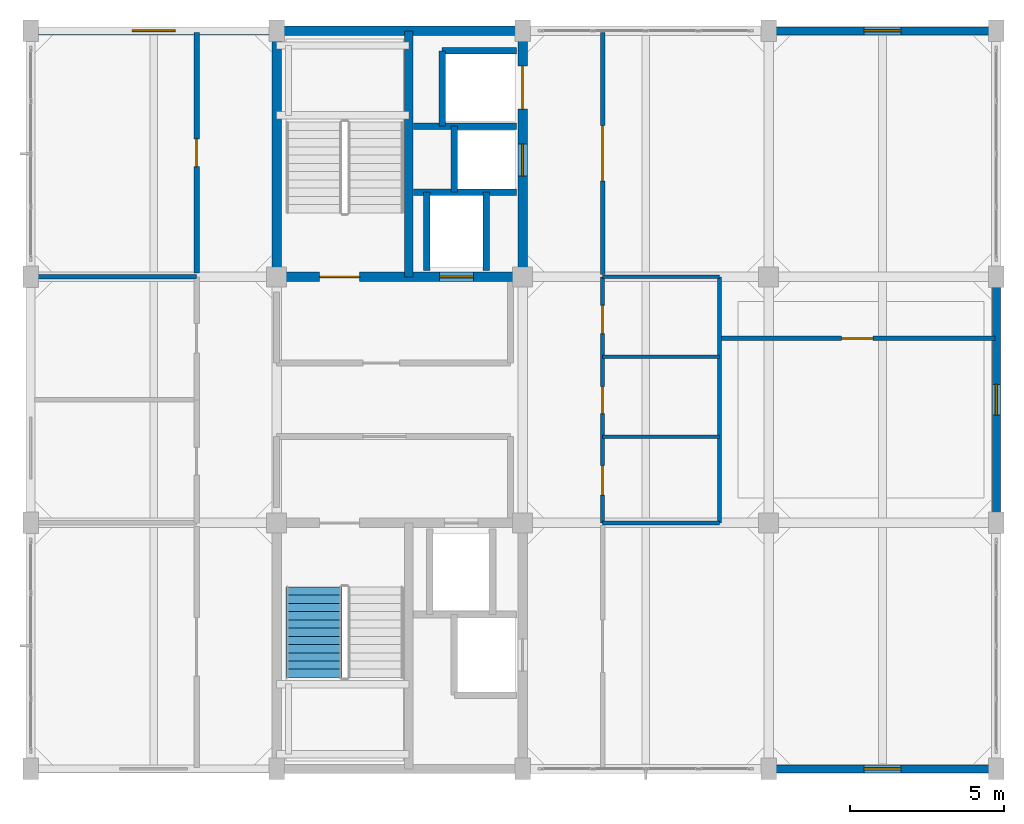
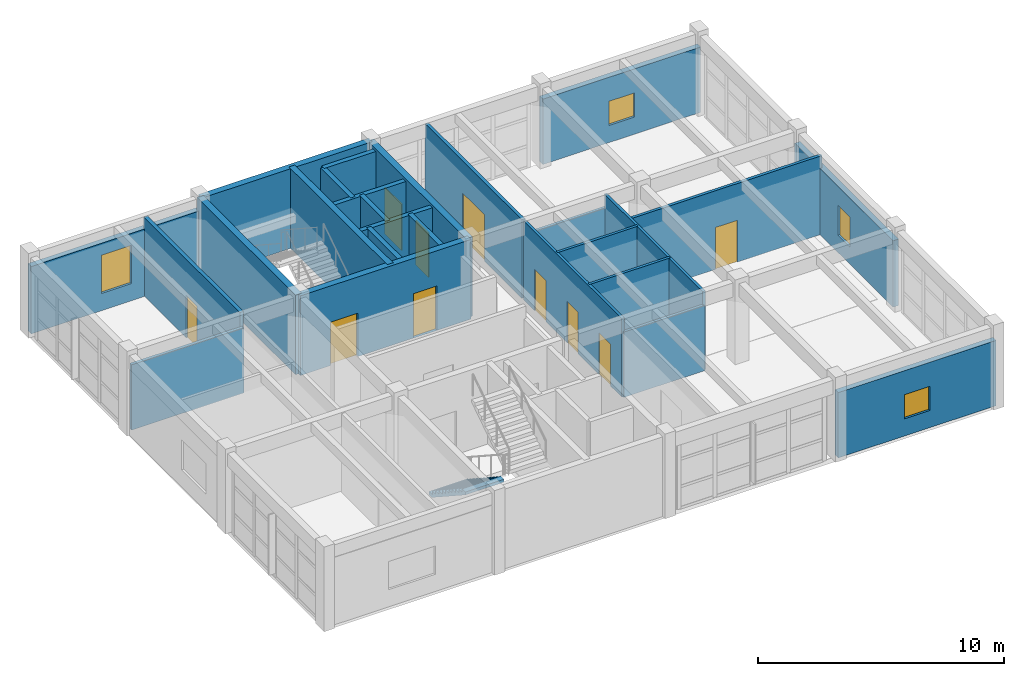
# One storey, part 13 of 16: 26 walls, 10 doors, 4 windows, 1 stair flight, 14 openings, 1 element without a shape of its own.
"""IFC4 building model written with IfcOpenShell, lengths in metres."""

from ifc_helpers import new_model, si_unit, direction, frame, frame_2d, origin, place, context, subcontext, project, spatial, polyline, rectangle, outline, extrude, material, layer, layer_set, type_object, element, fill, aggregate, save


model = new_model("IFC4")

# Units and contexts
model_context = context("Model", 3, precision=1e-05, world=origin(), true_north=direction((0.0, 1.0)))
body_context = subcontext(model_context, "Body", "Model", "MODEL_VIEW")
ifc_project = project(units=[si_unit("LENGTHUNIT", "METRE"), si_unit("AREAUNIT", "SQUARE_METRE"), si_unit("VOLUMEUNIT", "CUBIC_METRE"), si_unit("PLANEANGLEUNIT", "RADIAN"), si_unit("MASSUNIT", "GRAM", prefix="KILO")], contexts=[model_context])

# Site, building, storey
site_placement = place(None, origin())
site = spatial("IfcSite", under=ifc_project, at=site_placement, CompositionType="ELEMENT")
building_placement = place(site_placement, origin())
building = spatial("IfcBuilding", under=site, at=building_placement, Name="Canggui Botanical Conservatory", CompositionType="ELEMENT")
storey_placement = place(building_placement, frame((0.0, 0.0, 65.39990234375)))
storey = spatial("IfcBuildingStorey", under=building, at=storey_placement, Name="L16", CompositionType="ELEMENT", Elevation=65.39990234375)

# Wall, opening, window
ifc_material_1 = material(Name="Precast Concrete C40", Category="concrete")
ifc_layer_1 = layer(ifc_material_1, 0.260009765625, Name="Precast Concrete C40", Category="concrete")
ifc_layer_set_1 = layer_set([ifc_layer_1], Name="Precast Concrete C40")
wall_type_1 = type_object("IfcWallType", Name="EW-260", PredefinedType="STANDARD", material=ifc_layer_set_1)
wall_1_placement = place(storey_placement, frame((177.39990234375, 42.0, 0.0), z_axis=(0.0, 0.0, 1.0), x_axis=(-1.0, 0.0, 0.0)))
wall_1 = element("IfcWall", 1, at=wall_1_placement, inside=storey, type_object=wall_type_1, Name="Tower Insulated Exterior Wall L16-S1", PredefinedType="STANDARD", context=body_context, shape_type="SweptSolid", body=[
    extrude(rectangle(XDim=7.39990234375, YDim=0.260009765625, at=frame_2d((3.699951171875, 0.0))), origin(), (0.0, 0.0, 1.0), 3.239990234375),
])
opening_1_placement = place(wall_1_placement, frame((3.10009765625, 0.0, 0.85009765625)))
opening_1 = element("IfcOpeningElement", 2, at=opening_1_placement, cuts=wall_1, Name="Opening W-06", PredefinedType="OPENING", context=body_context, shape_type="SweptSolid", body=[
    extrude(rectangle(XDim=1.199951171875, YDim=1.199951171875, at=frame_2d((0.60009765625, 0.60009765625))), frame((0.0, 0.14013671875, 0.0), z_axis=(0.0, -1.0, 0.0), x_axis=(1.0, 0.0, 0.0)), (0.0, 0.0, 1.0), 0.280029296875),
])
ifc_material_2 = material(Name="Low-E Insulated Glass", Category="glass")
window_type_1 = type_object("IfcWindowType", Name="WIN-06", PartitioningType="SINGLE_PANEL", PredefinedType="WINDOW", material=ifc_material_2)
window_1_placement = place(opening_1_placement, origin())
window_1 = element("IfcWindow", 3, at=window_1_placement, inside=storey, type_object=window_type_1, Name="Tower Firefighter Rescue Window L16-1", OverallHeight=1.199951171875, OverallWidth=1.199951171875, PartitioningType="SINGLE_PANEL", PredefinedType="WINDOW", context=body_context, shape_type="SweptSolid", body=[
    extrude(rectangle(XDim=1.199951171875, YDim=1.199951171875, at=frame_2d((0.60009765625, 0.60009765625))), frame((0.0, 0.030029296875, 0.0), z_axis=(0.0, -1.0, 0.0), x_axis=(1.0, 0.0, 0.0)), (0.0, 0.0, 1.0), 0.06005859375),
])
fill(opening_1, window_1)

wall_2_placement = place(storey_placement, frame((146.0, 66.0, 0.0), z_axis=(0.0, 0.0, 1.0), x_axis=(1.0, 0.0, 0.0)))
wall_2 = element("IfcWall", 4, at=wall_2_placement, inside=storey, type_object=wall_type_1, Name="Tower Insulated Exterior Wall L16-N7", PredefinedType="STANDARD", context=body_context, shape_type="SweptSolid", body=[
    extrude(rectangle(XDim=8.0, YDim=0.260009765625, at=frame_2d((4.0, 0.0))), origin(), (0.0, 0.0, 1.0), 3.340087890625),
])
opening_2_placement = place(wall_2_placement, frame((3.300048828125, 0.0, 0.85009765625)))
opening_2 = element("IfcOpeningElement", 5, at=opening_2_placement, cuts=wall_2, Name="Opening W-14", PredefinedType="OPENING", context=body_context, shape_type="SweptSolid", body=[
    extrude(rectangle(XDim=1.39990234375, YDim=1.89990234375, at=frame_2d((0.699951171875, 0.949951171875))), frame((0.0, 0.14013671875, 0.0), z_axis=(0.0, -1.0, 0.0), x_axis=(1.0, 0.0, 0.0)), (0.0, 0.0, 1.0), 0.280029296875),
])
window_type_2 = type_object("IfcWindowType", Name="WIN-14", PartitioningType="SINGLE_PANEL", PredefinedType="WINDOW", material=ifc_material_2)
window_2_placement = place(opening_2_placement, origin())
window_2 = element("IfcWindow", 6, at=window_2_placement, inside=storey, type_object=window_type_2, Name="Tower Window L16-7", OverallHeight=1.89990234375, OverallWidth=1.39990234375, PartitioningType="SINGLE_PANEL", PredefinedType="WINDOW", context=body_context, shape_type="SweptSolid", body=[
    extrude(rectangle(XDim=1.39990234375, YDim=1.89990234375, at=frame_2d((0.699951171875, 0.949951171875))), frame((0.0, 0.030029296875, 0.0), z_axis=(0.0, -1.0, 0.0), x_axis=(1.0, 0.0, 0.0)), (0.0, 0.0, 1.0), 0.06005859375),
])
fill(opening_2, window_2)

wall_3_placement = place(storey_placement, frame((170.0, 66.0, 0.0), z_axis=(0.0, 0.0, 1.0), x_axis=(1.0, 0.0, 0.0)))
wall_3 = element("IfcWall", 7, at=wall_3_placement, inside=storey, type_object=wall_type_1, Name="Tower Insulated Exterior Wall L16-N9", PredefinedType="STANDARD", context=body_context, shape_type="SweptSolid", body=[
    extrude(rectangle(XDim=7.39990234375, YDim=0.260009765625, at=frame_2d((3.699951171875, 0.0))), origin(), (0.0, 0.0, 1.0), 3.239990234375),
])
opening_3_placement = place(wall_3_placement, frame((3.10009765625, 0.0, 0.85009765625)))
opening_3 = element("IfcOpeningElement", 8, at=opening_3_placement, cuts=wall_3, Name="Opening W-06", PredefinedType="OPENING", context=body_context, shape_type="SweptSolid", body=[
    extrude(rectangle(XDim=1.199951171875, YDim=1.199951171875, at=frame_2d((0.60009765625, 0.60009765625))), frame((0.0, 0.14013671875, 0.0), z_axis=(0.0, -1.0, 0.0), x_axis=(1.0, 0.0, 0.0)), (0.0, 0.0, 1.0), 0.280029296875),
])
window_3_placement = place(opening_3_placement, origin())
window_3 = element("IfcWindow", 9, at=window_3_placement, inside=storey, type_object=window_type_1, Name="Tower Firefighter Rescue Window L16-9", OverallHeight=1.199951171875, OverallWidth=1.199951171875, PartitioningType="SINGLE_PANEL", PredefinedType="WINDOW", context=body_context, shape_type="SweptSolid", body=[
    extrude(rectangle(XDim=1.199951171875, YDim=1.199951171875, at=frame_2d((0.60009765625, 0.60009765625))), frame((0.0, 0.030029296875, 0.0), z_axis=(0.0, -1.0, 0.0), x_axis=(1.0, 0.0, 0.0)), (0.0, 0.0, 1.0), 0.06005859375),
])
fill(opening_3, window_3)

wall_4_placement = place(storey_placement, frame((177.39990234375, 58.0, 0.0), z_axis=(0.0, 0.0, 1.0), x_axis=(0.0, -1.0, 0.0)))
wall_4 = element("IfcWall", 10, at=wall_4_placement, inside=storey, type_object=wall_type_1, Name="Tower Insulated Exterior Wall L16-E11", PredefinedType="STANDARD", context=body_context, shape_type="SweptSolid", body=[
    extrude(rectangle(XDim=8.0, YDim=0.260009765625, at=frame_2d((4.0, 0.0))), origin(), (0.0, 0.0, 1.0), 3.2900390625),
])
opening_4_placement = place(wall_4_placement, frame((3.5, 0.0, 0.85009765625)))
opening_4 = element("IfcOpeningElement", 11, at=opening_4_placement, cuts=wall_4, Name="Opening W-16", PredefinedType="OPENING", context=body_context, shape_type="SweptSolid", body=[
    extrude(rectangle(XDim=1.0, YDim=1.5, at=frame_2d((0.5, 0.75))), frame((0.0, 0.14013671875, 0.0), z_axis=(0.0, -1.0, 0.0), x_axis=(1.0, 0.0, 0.0)), (0.0, 0.0, 1.0), 0.280029296875),
])
window_type_3 = type_object("IfcWindowType", Name="WIN-16", PartitioningType="SINGLE_PANEL", PredefinedType="WINDOW", material=ifc_material_2)
window_4_placement = place(opening_4_placement, origin())
window_4 = element("IfcWindow", 12, at=window_4_placement, inside=storey, type_object=window_type_3, Name="Tower Window L16-11", OverallHeight=1.5, OverallWidth=1.0, PartitioningType="SINGLE_PANEL", PredefinedType="WINDOW", context=body_context, shape_type="SweptSolid", body=[
    extrude(rectangle(XDim=1.0, YDim=1.5, at=frame_2d((0.5, 0.75))), frame((0.0, 0.030029296875, 0.0), z_axis=(0.0, -1.0, 0.0), x_axis=(1.0, 0.0, 0.0)), (0.0, 0.0, 1.0), 0.06005859375),
])
fill(opening_4, window_4)

# Wall, opening, door
ifc_material_3 = material(Name="Gypsum Plasterboard Partition")
ifc_layer_2 = layer(ifc_material_3, 0.175048828125, Name="Gypsum Plasterboard Partition")
ifc_layer_set_2 = layer_set([ifc_layer_2], Name="Gypsum Plasterboard Partition")
wall_type_2 = type_object("IfcWallType", Name="IW-CORR-175", PredefinedType="STANDARD", material=ifc_layer_set_2)
wall_5_placement = place(storey_placement, frame((151.39990234375, 58.1201171875, 0.0), z_axis=(0.0, 0.0, 1.0), x_axis=(0.0, 1.0, 0.0)))
wall_5 = element("IfcWall", 13, at=wall_5_placement, inside=storey, type_object=wall_type_2, Name="L16 Laboratory Exhaust Heat-Recovery Plant Corridor Wall", PredefinedType="STANDARD", context=body_context, shape_type="SweptSolid", body=[
    extrude(rectangle(XDim=7.829833984375, YDim=0.175048828125, at=frame_2d((3.9150390625, 0.0))), origin(), (0.0, 0.0, 1.0), 3.900146484375),
])
opening_5_placement = place(wall_5_placement, frame((3.465087890625, 0.0, 0.0)))
opening_5 = element("IfcOpeningElement", 14, at=opening_5_placement, cuts=wall_5, Name="Opening FD-01", PredefinedType="OPENING", context=body_context, shape_type="SweptSolid", body=[
    extrude(rectangle(XDim=0.89990234375, YDim=2.10009765625, at=frame_2d((0.449951171875, 1.050048828125))), frame((0.0, 0.09765625, 0.0), z_axis=(0.0, -1.0, 0.0), x_axis=(1.0, 0.0, 0.0)), (0.0, 0.0, 1.0), 0.195068359375),
])
ifc_material_4 = material(Name="Powder-Coated Steel", Category="steel")
door_type_1 = type_object("IfcDoorType", Name="FD-01", OperationType="NOTDEFINED", PredefinedType="DOOR", material=ifc_material_4)
door_1_placement = place(opening_5_placement, origin())
door_1 = element("IfcDoor", 15, at=door_1_placement, inside=storey, type_object=door_type_1, Name="L16 Laboratory Exhaust Heat-Recovery Plant Entrance Door", OperationType="SINGLE_SWING_RIGHT", OverallHeight=2.10009765625, OverallWidth=0.89990234375, PredefinedType="DOOR", context=body_context, shape_type="SweptSolid", body=[
    extrude(rectangle(XDim=0.89990234375, YDim=2.10009765625, at=frame_2d((0.449951171875, 1.050048828125))), frame((0.0, 0.02490234375, 0.0), z_axis=(0.0, -1.0, 0.0), x_axis=(1.0, 0.0, 0.0)), (0.0, 0.0, 1.0), 0.050048828125),
])
fill(opening_5, door_1)

ifc_layer_3 = layer(ifc_material_3, 0.155029296875, Name="Gypsum Plasterboard Partition")
ifc_layer_set_3 = layer_set([ifc_layer_3], Name="Gypsum Plasterboard Partition")
wall_type_3 = type_object("IfcWallType", Name="IW-LAB-155", PredefinedType="STANDARD", material=ifc_layer_set_3)
wall_6_placement = place(storey_placement, frame((164.60009765625, 58.080078125, 0.0), z_axis=(0.0, 0.0, 1.0), x_axis=(0.0, 1.0, 0.0)))
wall_6 = element("IfcWall", 16, at=wall_6_placement, inside=storey, type_object=wall_type_3, Name="L16 Alpine Seedling Nursery Lab Wall", PredefinedType="STANDARD", context=body_context, shape_type="SweptSolid", body=[
    extrude(rectangle(XDim=7.869873046875, YDim=0.155029296875, at=frame_2d((3.93505859375, 0.0))), origin(), (0.0, 0.0, 1.0), 3.900146484375),
])
opening_6_placement = place(wall_6_placement, frame((3.034912109375, 0.0, 0.0)))
opening_6 = element("IfcOpeningElement", 17, at=opening_6_placement, cuts=wall_6, Name="Opening FD-17", PredefinedType="OPENING", context=body_context, shape_type="SweptSolid", body=[
    extrude(rectangle(XDim=1.800048828125, YDim=2.300048828125, at=frame_2d((0.89990234375, 1.14990234375))), frame((0.0, 0.08740234375, 0.0), z_axis=(0.0, -1.0, 0.0), x_axis=(1.0, 0.0, 0.0)), (0.0, 0.0, 1.0), 0.175048828125),
])
door_type_2 = type_object("IfcDoorType", Name="FD-17", OperationType="NOTDEFINED", PredefinedType="DOOR", material=ifc_material_4)
door_2_placement = place(opening_6_placement, origin())
door_2 = element("IfcDoor", 18, at=door_2_placement, inside=storey, type_object=door_type_2, Name="Interior Door IW-L16-ECOR-2-1", OperationType="DOUBLE_DOOR_SINGLE_SWING", OverallHeight=2.300048828125, OverallWidth=1.800048828125, PredefinedType="DOOR", context=body_context, shape_type="SweptSolid", body=[
    extrude(rectangle(XDim=1.800048828125, YDim=2.300048828125, at=frame_2d((0.89990234375, 1.14990234375))), frame((0.0, 0.02490234375, 0.0), z_axis=(0.0, -1.0, 0.0), x_axis=(1.0, 0.0, 0.0)), (0.0, 0.0, 1.0), 0.050048828125),
])
fill(opening_6, door_2)

# Wall
ifc_layer_4 = layer(ifc_material_3, 0.139892578125, Name="Gypsum Plasterboard Partition")
ifc_layer_set_4 = layer_set([ifc_layer_4], Name="Gypsum Plasterboard Partition")
wall_type_4 = type_object("IfcWallType", Name="IW-PART-140", PredefinedType="STANDARD", material=ifc_layer_set_4)
wall_7_placement = place(storey_placement, frame((146.1201171875, 58.0, 0.0), z_axis=(0.0, 0.0, 1.0), x_axis=(1.0, 0.0, 0.0)))
element("IfcWall", 19, at=wall_7_placement, inside=storey, type_object=wall_type_4, Name="L16 Store North Cross Wall", PredefinedType="STANDARD", context=body_context, shape_type="SweptSolid", body=[
    extrude(rectangle(XDim=5.27978515625, YDim=0.139892578125, at=frame_2d((2.639892578125, 0.0))), origin(), (0.0, 0.0, 1.0), 3.239990234375),
])

# Wall, opening, door
wall_8_placement = place(storey_placement, frame((168.39990234375, 56.0, 0.0), z_axis=(0.0, 0.0, 1.0), x_axis=(1.0, 0.0, 0.0)))
wall_8 = element("IfcWall", 20, at=wall_8_placement, inside=storey, type_object=wall_type_4, Name="L16 Acclimatisation Research Glasshouse Subdivision Wall", PredefinedType="STANDARD", context=body_context, shape_type="SweptSolid", body=[
    extrude(rectangle(XDim=8.960205078125, YDim=0.139892578125, at=frame_2d((4.47998046875, 0.0))), origin(), (0.0, 0.0, 1.0), 3.900146484375),
])
opening_7_placement = place(wall_8_placement, frame((3.969970703125, 0.0, 0.0)))
opening_7 = element("IfcOpeningElement", 21, at=opening_7_placement, cuts=wall_8, Name="Opening ID-04", PredefinedType="OPENING", context=body_context, shape_type="SweptSolid", body=[
    extrude(rectangle(XDim=1.02001953125, YDim=2.080078125, at=frame_2d((0.510009765625, 1.0400390625))), frame((0.0, 0.080078125, 0.0), z_axis=(0.0, -1.0, 0.0), x_axis=(1.0, 0.0, 0.0)), (0.0, 0.0, 1.0), 0.159912109375),
])
ifc_material_5 = material(Name="Engineered Timber Veneer", Category="wood")
door_type_3 = type_object("IfcDoorType", Name="ID-04", OperationType="NOTDEFINED", PredefinedType="DOOR", material=ifc_material_5)
door_3_placement = place(opening_7_placement, origin())
door_3 = element("IfcDoor", 22, at=door_3_placement, inside=storey, type_object=door_type_3, Name="Interior Door IW-L16-EDIV-1", OperationType="SINGLE_SWING_LEFT", OverallHeight=2.080078125, OverallWidth=1.02001953125, PredefinedType="DOOR", context=body_context, shape_type="SweptSolid", body=[
    extrude(rectangle(XDim=1.02001953125, YDim=2.080078125, at=frame_2d((0.510009765625, 1.0400390625))), frame((0.0, 0.02490234375, 0.0), z_axis=(0.0, -1.0, 0.0), x_axis=(1.0, 0.0, 0.0)), (0.0, 0.0, 1.0), 0.050048828125),
])
fill(opening_7, door_3)

# Walls
ifc_material_6 = material(Name="Concrete C35", Category="concrete")
ifc_layer_5 = layer(ifc_material_6, 0.215087890625, Name="Concrete C35", Category="concrete")
ifc_layer_set_5 = layer_set([ifc_layer_5], Name="Concrete C35")
wall_type_5 = type_object("IfcWallType", Name="IW-SHAFT-215", PredefinedType="STANDARD", material=ifc_layer_set_5)
wall_9_placement = place(storey_placement, frame((158.449951171875, 62.89990234375, 0.0), z_axis=(0.0, 0.0, 1.0), x_axis=(1.0, 0.0, 0.0)))
element("IfcWall", 23, at=wall_9_placement, inside=storey, type_object=wall_type_5, Name="Core T2 Goods Lift Shaft Divider L16", PredefinedType="STANDARD", context=body_context, shape_type="SweptSolid", body=[
    extrude(rectangle(XDim=3.35009765625, YDim=0.215087890625, at=frame_2d((1.675048828125, 0.0))), origin(), (0.0, 0.0, 1.0), 3.900146484375),
])
wall_10_placement = place(storey_placement, frame((160.820068359375, 58.199951171875, 0.0), z_axis=(0.0, 0.0, 1.0), x_axis=(0.0, 1.0, 0.0)))
element("IfcWall", 24, at=wall_10_placement, inside=storey, type_object=wall_type_5, Name="Core T2 Lift Bank Web L16", PredefinedType="STANDARD", context=body_context, shape_type="SweptSolid", body=[
    extrude(rectangle(XDim=2.550048828125, YDim=0.215087890625, at=frame_2d((1.27490234375, 0.0))), origin(), (0.0, 0.0, 1.0), 3.900146484375),
])
wall_11_placement = place(storey_placement, frame((159.3798828125, 62.89990234375, 0.0), z_axis=(0.0, 0.0, 1.0), x_axis=(0.0, 1.0, 0.0)))
element("IfcWall", 25, at=wall_11_placement, inside=storey, type_object=wall_type_5, Name="Core T2 GL-01 West Shaft Wall L16", PredefinedType="STANDARD", context=body_context, shape_type="SweptSolid", body=[
    extrude(rectangle(XDim=2.4501953125, YDim=0.215087890625, at=frame_2d((1.22509765625, 0.0))), origin(), (0.0, 0.0, 1.0), 3.900146484375),
])
wall_12_placement = place(storey_placement, frame((159.3798828125, 65.35009765625, 0.0), z_axis=(0.0, 0.0, 1.0), x_axis=(1.0, 0.0, 0.0)))
element("IfcWall", 26, at=wall_12_placement, inside=storey, type_object=wall_type_5, Name="Core T2 GL-01 North Shaft Wall L16", PredefinedType="STANDARD", context=body_context, shape_type="SweptSolid", body=[
    extrude(rectangle(XDim=2.420166015625, YDim=0.215087890625, at=frame_2d((1.2099609375, 0.0))), origin(), (0.0, 0.0, 1.0), 3.900146484375),
])
wall_13_placement = place(storey_placement, frame((158.449951171875, 60.75, 0.0), z_axis=(0.0, 0.0, 1.0), x_axis=(1.0, 0.0, 0.0)))
element("IfcWall", 27, at=wall_13_placement, inside=storey, type_object=wall_type_5, Name="Core T2 PL-02 South Shaft Wall L16", PredefinedType="STANDARD", context=body_context, shape_type="SweptSolid", body=[
    extrude(rectangle(XDim=3.35009765625, YDim=0.215087890625, at=frame_2d((1.675048828125, 0.0))), origin(), (0.0, 0.0, 1.0), 3.900146484375),
])
wall_14_placement = place(storey_placement, frame((159.780029296875, 60.75, 0.0), z_axis=(0.0, 0.0, 1.0), x_axis=(0.0, 1.0, 0.0)))
element("IfcWall", 28, at=wall_14_placement, inside=storey, type_object=wall_type_5, Name="Core T2 PL-02 West Shaft Wall L16", PredefinedType="STANDARD", context=body_context, shape_type="SweptSolid", body=[
    extrude(rectangle(XDim=2.14990234375, YDim=0.215087890625, at=frame_2d((1.074951171875, 0.0))), origin(), (0.0, 0.0, 1.0), 3.900146484375),
])
wall_15_placement = place(storey_placement, frame((158.8798828125, 58.199951171875, 0.0), z_axis=(0.0, 0.0, 1.0), x_axis=(0.0, 1.0, 0.0)))
element("IfcWall", 29, at=wall_15_placement, inside=storey, type_object=wall_type_5, Name="Core T2 FL-02 West Shaft Wall L16", PredefinedType="STANDARD", context=body_context, shape_type="SweptSolid", body=[
    extrude(rectangle(XDim=2.550048828125, YDim=0.215087890625, at=frame_2d((1.27490234375, 0.0))), origin(), (0.0, 0.0, 1.0), 3.900146484375),
])

# Wall, openings, doors
ifc_layer_6 = layer(ifc_material_3, 0.125, Name="Gypsum Plasterboard Partition")
ifc_layer_set_6 = layer_set([ifc_layer_6], Name="Gypsum Plasterboard Partition")
wall_type_6 = type_object("IfcWallType", Name="IW-WC-125", PredefinedType="STANDARD", material=ifc_layer_set_6)
wall_16_placement = place(storey_placement, frame((164.60009765625, 50.0, 0.0), z_axis=(0.0, 0.0, 1.0), x_axis=(0.0, 1.0, 0.0)))
wall_16 = element("IfcWall", 30, at=wall_16_placement, inside=storey, type_object=wall_type_6, Name="L16 Restroom Block Corridor Wall", PredefinedType="STANDARD", context=body_context, shape_type="SweptSolid", body=[
    extrude(rectangle(XDim=8.0, YDim=0.125, at=frame_2d((4.0, 0.0))), origin(), (0.0, 0.0, 1.0), 3.900146484375),
])
opening_8_placement = place(wall_16_placement, frame((0.89990234375, 0.0, 0.0)))
opening_8 = element("IfcOpeningElement", 31, at=opening_8_placement, cuts=wall_16, Name="Opening ID-03", PredefinedType="OPENING", context=body_context, shape_type="SweptSolid", body=[
    extrude(rectangle(XDim=0.9599609375, YDim=2.080078125, at=frame_2d((0.47998046875, 1.0400390625))), frame((0.0, 0.072509765625, 0.0), z_axis=(0.0, -1.0, 0.0), x_axis=(1.0, 0.0, 0.0)), (0.0, 0.0, 1.0), 0.14501953125),
])
opening_9_placement = place(wall_16_placement, frame((3.550048828125, 0.0, 0.0)))
opening_9 = element("IfcOpeningElement", 32, at=opening_9_placement, cuts=wall_16, Name="Opening ID-01", PredefinedType="OPENING", context=body_context, shape_type="SweptSolid", body=[
    extrude(rectangle(XDim=0.8798828125, YDim=2.050048828125, at=frame_2d((0.43994140625, 1.02490234375))), frame((0.0, 0.072509765625, 0.0), z_axis=(0.0, -1.0, 0.0), x_axis=(1.0, 0.0, 0.0)), (0.0, 0.0, 1.0), 0.14501953125),
])
opening_10_placement = place(wall_16_placement, frame((6.14990234375, 0.0, 0.0)))
opening_10 = element("IfcOpeningElement", 33, at=opening_10_placement, cuts=wall_16, Name="Opening ID-02", PredefinedType="OPENING", context=body_context, shape_type="SweptSolid", body=[
    extrude(rectangle(XDim=0.919921875, YDim=2.050048828125, at=frame_2d((0.4599609375, 1.02490234375))), frame((0.0, 0.072509765625, 0.0), z_axis=(0.0, -1.0, 0.0), x_axis=(1.0, 0.0, 0.0)), (0.0, 0.0, 1.0), 0.14501953125),
])
door_type_4 = type_object("IfcDoorType", Name="ID-01", OperationType="NOTDEFINED", PredefinedType="DOOR", material=ifc_material_5)
door_4_placement = place(opening_9_placement, origin())
door_4 = element("IfcDoor", 34, at=door_4_placement, inside=storey, type_object=door_type_4, Name="L16 Male WC Door", OperationType="SINGLE_SWING_RIGHT", OverallHeight=2.050048828125, OverallWidth=0.8798828125, PredefinedType="DOOR", context=body_context, shape_type="SweptSolid", body=[
    extrude(rectangle(XDim=0.8798828125, YDim=2.050048828125, at=frame_2d((0.43994140625, 1.02490234375))), frame((0.0, 0.02490234375, 0.0), z_axis=(0.0, -1.0, 0.0), x_axis=(1.0, 0.0, 0.0)), (0.0, 0.0, 1.0), 0.050048828125),
])
fill(opening_9, door_4)
door_type_5 = type_object("IfcDoorType", Name="ID-02", OperationType="NOTDEFINED", PredefinedType="DOOR", material=ifc_material_5)
door_5_placement = place(opening_10_placement, origin())
door_5 = element("IfcDoor", 35, at=door_5_placement, inside=storey, type_object=door_type_5, Name="L16 Female WC Door", OperationType="SINGLE_SWING_LEFT", OverallHeight=2.050048828125, OverallWidth=0.919921875, PredefinedType="DOOR", context=body_context, shape_type="SweptSolid", body=[
    extrude(rectangle(XDim=0.919921875, YDim=2.050048828125, at=frame_2d((0.4599609375, 1.02490234375))), frame((0.0, 0.02490234375, 0.0), z_axis=(0.0, -1.0, 0.0), x_axis=(1.0, 0.0, 0.0)), (0.0, 0.0, 1.0), 0.050048828125),
])
fill(opening_10, door_5)
door_type_6 = type_object("IfcDoorType", Name="ID-03", OperationType="NOTDEFINED", PredefinedType="DOOR", material=ifc_material_5)
door_6_placement = place(opening_8_placement, origin())
door_6 = element("IfcDoor", 36, at=door_6_placement, inside=storey, type_object=door_type_6, Name="L16 Accessible WC Door", OperationType="SINGLE_SWING_LEFT", OverallHeight=2.080078125, OverallWidth=0.9599609375, PredefinedType="DOOR", context=body_context, shape_type="SweptSolid", body=[
    extrude(rectangle(XDim=0.9599609375, YDim=2.080078125, at=frame_2d((0.47998046875, 1.0400390625))), frame((0.0, 0.02490234375, 0.0), z_axis=(0.0, -1.0, 0.0), x_axis=(1.0, 0.0, 0.0)), (0.0, 0.0, 1.0), 0.050048828125),
])
fill(opening_8, door_6)

# Walls
wall_17_placement = place(storey_placement, frame((168.39990234375, 50.0, 0.0), z_axis=(0.0, 0.0, 1.0), x_axis=(0.0, 1.0, 0.0)))
element("IfcWall", 37, at=wall_17_placement, inside=storey, type_object=wall_type_6, Name="L16 Restroom Block Back Wall", PredefinedType="STANDARD", context=body_context, shape_type="SweptSolid", body=[
    extrude(rectangle(XDim=8.0, YDim=0.125, at=frame_2d((4.0, 0.0))), origin(), (0.0, 0.0, 1.0), 3.900146484375),
])
wall_18_placement = place(storey_placement, frame((164.60009765625, 50.0, 0.0), z_axis=(0.0, 0.0, 1.0), x_axis=(1.0, 0.0, 0.0)))
element("IfcWall", 38, at=wall_18_placement, inside=storey, type_object=wall_type_6, Name="L16 Restroom Divider Y50.0", PredefinedType="STANDARD", context=body_context, shape_type="SweptSolid", body=[
    extrude(rectangle(XDim=3.7998046875, YDim=0.125, at=frame_2d((1.89990234375, 0.0))), origin(), (0.0, 0.0, 1.0), 3.239990234375),
])
for number, where, z_axis, x_axis, name in (
    (39, (164.60009765625, 52.800048828125, 0.0), (0.0, 0.0, 1.0), (1.0, 0.0, 0.0), "L16 Restroom Divider Y52.8"),
    (40, (164.60009765625, 55.39990234375, 0.0), (0.0, 0.0, 1.0), (1.0, 0.0, 0.0), "L16 Restroom Divider Y55.4"),
):
    element("IfcWall", number, at=place(storey_placement, frame(where, z_axis=z_axis, x_axis=x_axis)), inside=storey, type_object=wall_type_6, Name=name, PredefinedType="STANDARD", context=body_context, shape_type="SweptSolid", body=[
        extrude(rectangle(XDim=3.7998046875, YDim=0.125, at=frame_2d((1.89990234375, 0.0))), origin(), (0.0, 0.0, 1.0), 3.900146484375),
    ])
wall_19_placement = place(storey_placement, frame((164.60009765625, 58.0, 0.0), z_axis=(0.0, 0.0, 1.0), x_axis=(1.0, 0.0, 0.0)))
element("IfcWall", 41, at=wall_19_placement, inside=storey, type_object=wall_type_6, Name="L16 Restroom Divider Y58.0", PredefinedType="STANDARD", context=body_context, shape_type="SweptSolid", body=[
    extrude(rectangle(XDim=3.7998046875, YDim=0.125, at=frame_2d((1.89990234375, 0.0))), origin(), (0.0, 0.0, 1.0), 3.239990234375),
])
ifc_layer_7 = layer(ifc_material_6, 0.280029296875, Name="Concrete C35", Category="concrete")
ifc_layer_set_7 = layer_set([ifc_layer_7], Name="Concrete C35")
wall_type_7 = type_object("IfcWallType", Name="WALL-SH-280-C35", PredefinedType="SHEAR", material=ifc_layer_set_7)
wall_20_placement = place(storey_placement, frame((158.300048828125, 58.0, 0.0), z_axis=(0.0, 0.0, 1.0), x_axis=(0.0, 1.0, 0.0)))
element("IfcWall", 42, at=wall_20_placement, inside=storey, type_object=wall_type_7, Name="Core T2 Internal Shear Web L16", PredefinedType="SHEAR", context=body_context, shape_type="SweptSolid", body=[
    extrude(rectangle(XDim=8.0, YDim=0.280029296875, at=frame_2d((4.0, 0.0))), origin(), (0.0, 0.0, 1.0), 3.9501953125),
])

# Wall, openings, doors
ifc_layer_8 = layer(ifc_material_6, 0.300048828125, Name="Concrete C35", Category="concrete")
ifc_layer_set_8 = layer_set([ifc_layer_8], Name="Concrete C35")
wall_type_8 = type_object("IfcWallType", Name="WALL-SH-300-C35", PredefinedType="SHEAR", material=ifc_layer_set_8)
wall_21_placement = place(storey_placement, frame((154.0, 58.0, 0.0), z_axis=(0.0, 0.0, 1.0), x_axis=(1.0, 0.0, 0.0)))
wall_21 = element("IfcWall", 43, at=wall_21_placement, inside=storey, type_object=wall_type_8, Name="Core T2 Shear Wall L16-S", PredefinedType="SHEAR", context=body_context, shape_type="SweptSolid", body=[
    extrude(rectangle(XDim=8.0, YDim=0.300048828125, at=frame_2d((4.0, 0.0))), origin(), (0.0, 0.0, 1.0), 3.9501953125),
])
opening_11_placement = place(wall_21_placement, frame((1.39990234375, 0.0, 0.0)))
opening_11 = element("IfcOpeningElement", 44, at=opening_11_placement, cuts=wall_21, Name="Opening FD-09", PredefinedType="OPENING", context=body_context, shape_type="SweptSolid", body=[
    extrude(rectangle(XDim=1.300048828125, YDim=2.14990234375, at=frame_2d((0.64990234375, 1.074951171875))), frame((0.0, 0.16015625, 0.0), z_axis=(0.0, -1.0, 0.0), x_axis=(1.0, 0.0, 0.0)), (0.0, 0.0, 1.0), 0.320068359375),
])
opening_12_placement = place(wall_21_placement, frame((5.300048828125, 0.0, 0.0)))
opening_12 = element("IfcOpeningElement", 45, at=opening_12_placement, cuts=wall_21, Name="Opening LD-01", PredefinedType="OPENING", context=body_context, shape_type="SweptSolid", body=[
    extrude(rectangle(XDim=1.10009765625, YDim=2.199951171875, at=frame_2d((0.550048828125, 1.10009765625))), frame((0.0, 0.16015625, 0.0), z_axis=(0.0, -1.0, 0.0), x_axis=(1.0, 0.0, 0.0)), (0.0, 0.0, 1.0), 0.320068359375),
])
door_type_7 = type_object("IfcDoorType", Name="FD-09", OperationType="NOTDEFINED", PredefinedType="DOOR", material=ifc_material_4)
door_7_placement = place(opening_11_placement, origin())
door_7 = element("IfcDoor", 46, at=door_7_placement, inside=storey, type_object=door_type_7, Name="Tower North Smoke-Proof Stair Door L16", OperationType="SINGLE_SWING_RIGHT", OverallHeight=2.14990234375, OverallWidth=1.300048828125, PredefinedType="DOOR", context=body_context, shape_type="SweptSolid", body=[
    extrude(rectangle(XDim=1.300048828125, YDim=2.14990234375, at=frame_2d((0.64990234375, 1.074951171875))), frame((0.0, 0.02490234375, 0.0), z_axis=(0.0, -1.0, 0.0), x_axis=(1.0, 0.0, 0.0)), (0.0, 0.0, 1.0), 0.050048828125),
])
fill(opening_11, door_7)
ifc_material_7 = material(Name="Stainless Steel 304", Category="steel")
door_type_8 = type_object("IfcDoorType", Name="LDR-01", OperationType="NOTDEFINED", PredefinedType="DOOR", material=ifc_material_7)
door_8_placement = place(opening_12_placement, origin())
door_8 = element("IfcDoor", 47, at=door_8_placement, inside=storey, type_object=door_type_8, Name="Firefighting Lift FL-02 Landing Door L16", OperationType="SLIDING_TO_RIGHT", OverallHeight=2.199951171875, OverallWidth=1.10009765625, PredefinedType="DOOR", context=body_context, shape_type="SweptSolid", body=[
    extrude(rectangle(XDim=1.10009765625, YDim=2.199951171875, at=frame_2d((0.550048828125, 1.10009765625))), frame((0.0, 0.02490234375, 0.0), z_axis=(0.0, -1.0, 0.0), x_axis=(1.0, 0.0, 0.0)), (0.0, 0.0, 1.0), 0.050048828125),
])
fill(opening_12, door_8)

wall_22_placement = place(storey_placement, frame((162.0, 58.0, 0.0), z_axis=(0.0, 0.0, 1.0), x_axis=(0.0, 1.0, 0.0)))
wall_22 = element("IfcWall", 48, at=wall_22_placement, inside=storey, type_object=wall_type_8, Name="Core T2 Shear Wall L16-E", PredefinedType="SHEAR", context=body_context, shape_type="SweptSolid", body=[
    extrude(rectangle(XDim=8.0, YDim=0.300048828125, at=frame_2d((4.0, 0.0))), origin(), (0.0, 0.0, 1.0), 3.9501953125),
])
opening_13_placement = place(wall_22_placement, frame((3.27490234375, 0.0, 0.0)))
opening_13 = element("IfcOpeningElement", 49, at=opening_13_placement, cuts=wall_22, Name="Opening LD-02", PredefinedType="OPENING", context=body_context, shape_type="SweptSolid", body=[
    extrude(rectangle(XDim=1.050048828125, YDim=2.199951171875, at=frame_2d((0.52490234375, 1.10009765625))), frame((0.0, 0.16015625, 0.0), z_axis=(0.0, -1.0, 0.0), x_axis=(1.0, 0.0, 0.0)), (0.0, 0.0, 1.0), 0.320068359375),
])
opening_14_placement = place(wall_22_placement, frame((5.449951171875, 0.0, 0.0)))
opening_14 = element("IfcOpeningElement", 50, at=opening_14_placement, cuts=wall_22, Name="Opening LD-03", PredefinedType="OPENING", context=body_context, shape_type="SweptSolid", body=[
    extrude(rectangle(XDim=1.39990234375, YDim=2.300048828125, at=frame_2d((0.699951171875, 1.14990234375))), frame((0.0, 0.16015625, 0.0), z_axis=(0.0, -1.0, 0.0), x_axis=(1.0, 0.0, 0.0)), (0.0, 0.0, 1.0), 0.320068359375),
])
door_type_9 = type_object("IfcDoorType", Name="LDR-02", OperationType="NOTDEFINED", PredefinedType="DOOR", material=ifc_material_7)
door_9_placement = place(opening_13_placement, origin())
door_9 = element("IfcDoor", 51, at=door_9_placement, inside=storey, type_object=door_type_9, Name="Passenger Lift PL-02 Landing Door L16", OperationType="SLIDING_TO_RIGHT", OverallHeight=2.199951171875, OverallWidth=1.050048828125, PredefinedType="DOOR", context=body_context, shape_type="SweptSolid", body=[
    extrude(rectangle(XDim=1.050048828125, YDim=2.199951171875, at=frame_2d((0.52490234375, 1.10009765625))), frame((0.0, 0.02490234375, 0.0), z_axis=(0.0, -1.0, 0.0), x_axis=(1.0, 0.0, 0.0)), (0.0, 0.0, 1.0), 0.050048828125),
])
fill(opening_13, door_9)
door_type_10 = type_object("IfcDoorType", Name="LDR-03", OperationType="NOTDEFINED", PredefinedType="DOOR", material=ifc_material_7)
door_10_placement = place(opening_14_placement, origin())
door_10 = element("IfcDoor", 52, at=door_10_placement, inside=storey, type_object=door_type_10, Name="Herbarium Goods Lift GL-01 Landing Door L16", OperationType="DOUBLE_DOOR_SLIDING", OverallHeight=2.300048828125, OverallWidth=1.39990234375, PredefinedType="DOOR", context=body_context, shape_type="SweptSolid", body=[
    extrude(rectangle(XDim=1.39990234375, YDim=2.300048828125, at=frame_2d((0.699951171875, 1.14990234375))), frame((0.0, 0.02490234375, 0.0), z_axis=(0.0, -1.0, 0.0), x_axis=(1.0, 0.0, 0.0)), (0.0, 0.0, 1.0), 0.050048828125),
])
fill(opening_14, door_10)

# Walls
for number, where, z_axis, x_axis, name in (
    (53, (162.0, 66.0, 0.0), (0.0, 0.0, 1.0), (-1.0, 0.0, 0.0), "Core T2 Shear Wall L16-N"),
    (54, (154.0, 66.0, 0.0), (0.0, 0.0, 1.0), (0.0, -1.0, 0.0), "Core T2 Shear Wall L16-W"),
):
    element("IfcWall", number, at=place(storey_placement, frame(where, z_axis=z_axis, x_axis=x_axis)), inside=storey, type_object=wall_type_8, Name=name, PredefinedType="SHEAR", context=body_context, shape_type="SweptSolid", body=[
        extrude(rectangle(XDim=8.0, YDim=0.300048828125, at=frame_2d((4.0, 0.0))), origin(), (0.0, 0.0, 1.0), 3.9501953125),
    ])

# Stair, stair flight
stair_type = type_object("IfcStairType", Name="STR-TYPE-6", PredefinedType="HALF_TURN_STAIR", material=ifc_material_6)
stair_placement = place(storey_placement, origin())
stair = element("IfcStair", 55, at=stair_placement, inside=storey, type_object=stair_type, Name="L16 Tower South Smoke-Proof Stair ST-T1", PredefinedType="HALF_TURN_STAIR")
stair_flight_type = type_object("IfcStairFlightType", Name="SFL-TYPE-6", PredefinedType="STRAIGHT", material=ifc_material_6)
stair_flight_placement = place(storey_placement, frame((155.2099609375, 47.919921875, 0.0), z_axis=(0.0, 0.0, 1.0), x_axis=(0.0, -1.0, 0.0)))
stair_flight = element("IfcStairFlight", 56, at=stair_flight_placement, type_object=stair_flight_type, Name="ST-T1 flight 1", NumberOfRisers=12, NumberOfTreads=11, PredefinedType="STRAIGHT", RiserHeight=0.175, TreadLength=0.268, context=body_context, shape_type="SweptSolid", body=[
    extrude(outline(polyline([(0.0, 0.0), (0.0, 0.175048828125), (0.26806640625, 0.175048828125), (0.26806640625, 0.35009765625), (0.535888671875, 0.35009765625), (0.535888671875, 0.52490234375), (0.803955078125, 0.52490234375), (0.803955078125, 0.699951171875), (1.072021484375, 0.699951171875), (1.072021484375, 0.875), (1.340087890625, 0.875), (1.340087890625, 1.050048828125), (1.60791015625, 1.050048828125), (1.60791015625, 1.22509765625), (1.8759765625, 1.22509765625), (1.8759765625, 1.39990234375), (2.14404296875, 1.39990234375), (2.14404296875, 1.574951171875), (2.412109375, 1.574951171875), (2.412109375, 1.75), (2.679931640625, 1.75), (2.679931640625, 1.925048828125), (2.947998046875, 1.925048828125), (2.947998046875, 2.10009765625), (2.947998046875, 1.781494140625), (0.2197265625, 0.0), (0.0, 0.0)])), frame((0.0, 0.91015625, 0.0), z_axis=(0.0, -1.0, 0.0), x_axis=(1.0, 0.0, 0.0)), (0.0, 0.0, 1.0), 1.820068359375),
])
aggregate(stair, [stair_flight])

save(model, "model.ifc")
